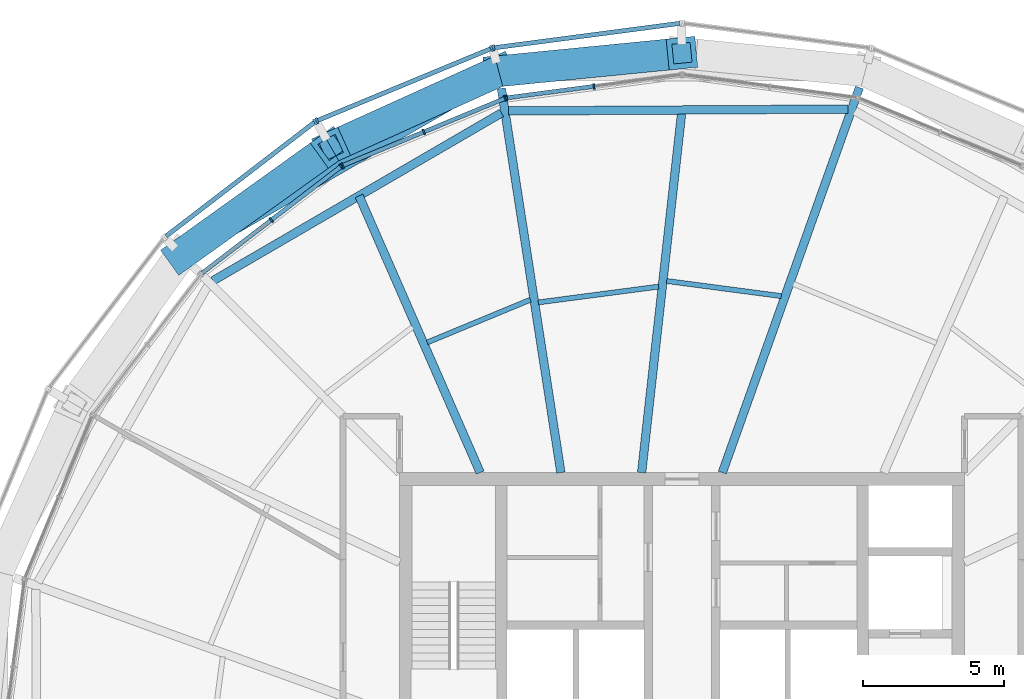
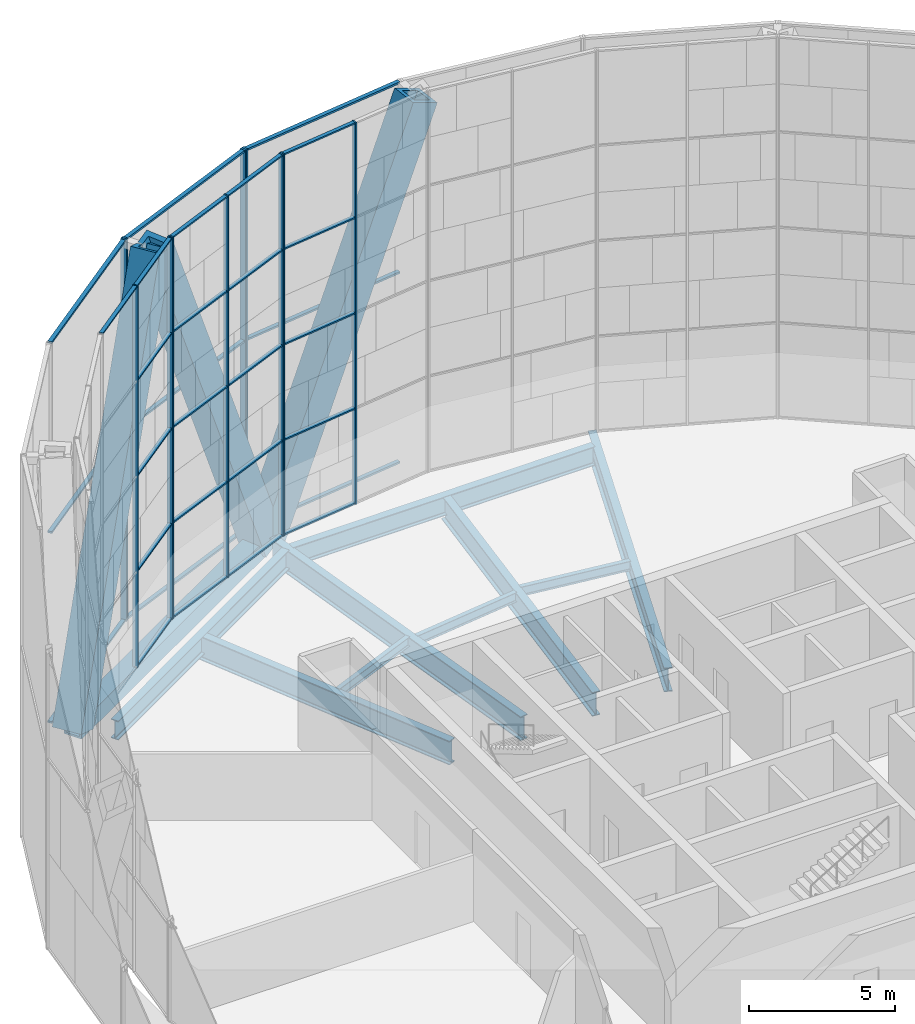
# One storey, part 9 of 30: 44 members, 10 beams, 6 elements without a shape of their own.
"""IFC4 building model written with IfcOpenShell, lengths in metres."""

import ifcopenshell
import ifcopenshell.guid

model = None  # the IFC model being written
_history = None  # IfcOwnerHistory: only IFC2X3 demands one
_inside = {}  # id of a spatial element -> (the spatial element, [elements in it])
_under = {}  # id of a project, library or spatial element -> (it, [spatial elements below it])
_declared = {}  # id of a project -> (the project, [libraries it declares])
_typed = {}  # id of a type object -> (the type object, [elements of that type])
_made_of = {}  # id of a material, layer set ... -> (it, [elements and type objects made of it])


def new_model(schema):
    """Start an empty IFC model of exactly this schema.

    Asked for "IFC4X3", IfcOpenShell would pick the latest addendum, in which some entities
    have other attributes; the version numbers below select the first issue.
    IFC2X3 requires an IfcOwnerHistory on every rooted entity: one is made here for all.
    """
    global model, _history
    if schema == "IFC4X3":
        model = ifcopenshell.file(schema_version=(4, 3, 0, 0))
    else:
        model = ifcopenshell.file(schema=schema)
    _inside.clear()
    _under.clear()
    _declared.clear()
    _typed.clear()
    _made_of.clear()
    _history = None
    if model.schema == "IFC2X3":
        org = make("IfcOrganization", Name="unknown")
        user = make(
            "IfcPersonAndOrganization",
            ThePerson=make("IfcPerson", FamilyName="unknown"),
            TheOrganization=org,
        )
        app = make(
            "IfcApplication",
            ApplicationDeveloper=org,
            Version="unknown",
            ApplicationFullName="unknown",
            ApplicationIdentifier="unknown",
        )
        _history = make(
            "IfcOwnerHistory",
            OwningUser=user,
            OwningApplication=app,
            ChangeAction="ADDED",
            CreationDate=0,
        )
    return model


def make(cls, **values):
    """One entity of the class cls with the attributes given. An attribute that is None is left unset."""
    return model.create_entity(
        cls, **{name: value for name, value in values.items() if value is not None}
    )


def rooted(cls, **values):
    """An entity with a GlobalId (a new one), such as an element, a storey or a relation."""
    return make(cls, GlobalId=ifcopenshell.guid.new(), OwnerHistory=_history, **values)


def si_unit(unit_type, name, prefix=None):
    """IfcSIUnit, for example si_unit("LENGTHUNIT", "METRE", prefix="MILLI")."""
    return make("IfcSIUnit", UnitType=unit_type, Prefix=prefix, Name=name)


def assignment(units):
    """IfcUnitAssignment: the units of a project."""
    return None if units is None else make("IfcUnitAssignment", Units=units)


def point(xyz):
    """IfcCartesianPoint."""
    return None if xyz is None else make("IfcCartesianPoint", Coordinates=xyz)


def direction(xyz):
    """IfcDirection."""
    return None if xyz is None else make("IfcDirection", DirectionRatios=xyz)


def frame(location, z_axis=None, x_axis=None):
    """IfcAxis2Placement3D, a coordinate frame: its origin and axes. An axis left out is left unset."""
    return make(
        "IfcAxis2Placement3D",
        Location=point(location),
        Axis=direction(z_axis),
        RefDirection=direction(x_axis),
    )


def frame_2d(location, x_axis=None):
    """IfcAxis2Placement2D, a coordinate frame in the plane: its origin and x axis."""
    return make(
        "IfcAxis2Placement2D", Location=point(location), RefDirection=direction(x_axis)
    )


def origin():
    """The frame at (0, 0, 0) with its axes left unset."""
    return frame((0.0, 0.0, 0.0))


def origin_2d():
    """The frame at (0, 0) in the plane with its x axis left unset."""
    return frame_2d((0.0, 0.0))


def place(relative_to, where):
    """IfcLocalPlacement: puts the frame where relative to a parent placement (None: the world)."""
    return make(
        "IfcLocalPlacement", PlacementRelTo=relative_to, RelativePlacement=where
    )


def context(
    kind, dimensions, precision=None, world=None, true_north=None, identifier=None
):
    """IfcGeometricRepresentationContext, for example the 3D "Model" context."""
    return make(
        "IfcGeometricRepresentationContext",
        ContextIdentifier=identifier,
        ContextType=kind,
        CoordinateSpaceDimension=dimensions,
        Precision=precision,
        WorldCoordinateSystem=world,
        TrueNorth=true_north,
    )


def subcontext(parent, identifier, kind, view, scale=None):
    """IfcGeometricRepresentationSubContext, for example "Body" below "Model"."""
    return make(
        "IfcGeometricRepresentationSubContext",
        ContextIdentifier=identifier,
        ContextType=kind,
        ParentContext=parent,
        TargetScale=scale,
        TargetView=view,
    )


def project(units=None, contexts=None):
    """IfcProject with its units and contexts."""
    return rooted(
        "IfcProject",
        Name="project",
        RepresentationContexts=contexts,
        UnitsInContext=assignment(units),
    )


def spatial(cls, under=None, at=None, **own):
    """A site, building, storey or space (cls), placed at a placement, below another one or the project."""
    s = rooted(cls, ObjectPlacement=at, **own)
    if under is not None:
        _under.setdefault(under.id(), (under, []))[1].append(s)
    return s


def profile(cls, at=None, kind="AREA", **sizes):
    """A parametric profile (cls). Its sizes go by their IFC names, for example OverallWidth=200.0."""
    return make(cls, ProfileType=kind, Position=at, **sizes)


def rectangle(**sizes):
    """IfcRectangleProfileDef."""
    return profile("IfcRectangleProfileDef", **sizes)


def hollow_rectangle(**sizes):
    """IfcRectangleHollowProfileDef."""
    return profile("IfcRectangleHollowProfileDef", **sizes)


def i_section(**sizes):
    """IfcIShapeProfileDef."""
    return profile("IfcIShapeProfileDef", **sizes)


def extrude(swept, where, along, depth):
    """IfcExtrudedAreaSolid: the profile swept, set in the frame where, extruded along a direction by depth."""
    return make(
        "IfcExtrudedAreaSolid",
        SweptArea=swept,
        Position=where,
        ExtrudedDirection=direction(along),
        Depth=depth,
    )


def shape(context_of_items, identifier, shape_type, items):
    """IfcShapeRepresentation: the items that make up one representation, for example the "Body"."""
    return make(
        "IfcShapeRepresentation",
        ContextOfItems=context_of_items,
        RepresentationIdentifier=identifier,
        RepresentationType=shape_type,
        Items=items,
    )


def material(Name=None, Category=None):
    """IfcMaterial."""
    return make("IfcMaterial", Name=Name, Category=Category)


def material_profile(
    of_material, cross_section, Name=None, Category=None, Priority=None
):
    """IfcMaterialProfile: a cross section and its material."""
    return make(
        "IfcMaterialProfile",
        Name=Name,
        Material=of_material,
        Profile=cross_section,
        Priority=Priority,
        Category=Category,
    )


def profile_set(profiles, Name=None, composite=None):
    """IfcMaterialProfileSet."""
    return make(
        "IfcMaterialProfileSet",
        Name=Name,
        MaterialProfiles=profiles,
        CompositeProfile=composite,
    )


def made_of(thing, what):
    """Note that an element or type object is made of a material, layer set ...; save() writes the relation."""
    if what is not None:
        _made_of.setdefault(what.id(), (what, []))[1].append(thing)
    return thing


def type_object(cls, material=None, **own):
    """A type object (cls), such as IfcWallType, which elements share."""
    return made_of(rooted(cls, **own), material)


def element(
    cls,
    number,
    at=None,
    inside=None,
    cuts=None,
    type_object=None,
    material=None,
    context=None,
    identifier="Body",
    shape_type=None,
    held_by="IfcProductDefinitionShape",
    body=None,
    shapes=None,
    **own,
):
    """One element of the class cls, such as IfcWall. Its Tag is "e" and its number.

    at: its placement. inside: the storey or other place that contains it. cuts: it is an
    opening in that element (IfcRelVoidsElement). A single representation is given by context,
    identifier, shape_type and body (its items); several are given by shapes. held_by: the class
    of the entity that holds the representations. save() writes the other relations.
    """
    e = rooted(cls, Tag="e%d" % number, ObjectPlacement=at, **own)
    if body is not None:
        shapes = [shape(context, identifier, shape_type, body)]
    if shapes is not None:
        e.Representation = make(held_by, Representations=shapes)
    if inside is not None:
        _inside.setdefault(inside.id(), (inside, []))[1].append(e)
    if cuts is not None:
        rooted(
            "IfcRelVoidsElement", RelatingBuildingElement=cuts, RelatedOpeningElement=e
        )
    if type_object is not None:
        _typed.setdefault(type_object.id(), (type_object, []))[1].append(e)
    return made_of(e, material)


def aggregate(whole, parts):
    """IfcRelAggregates: a whole, such as a stair, and the parts it consists of."""
    return rooted("IfcRelAggregates", RelatingObject=whole, RelatedObjects=parts)


def save(model, path):
    """Write the relations noted so far, then the file.

    IfcRelAggregates (storeys below a building ...), IfcRelContainedInSpatialStructure (elements
    in a storey), IfcRelDefinesByType, IfcRelAssociatesMaterial and IfcRelDeclares: one each for
    every whole, place, type object, material and project.
    """
    for whole, parts in _under.values():
        aggregate(whole, parts)
    for where, things in _inside.values():
        rooted(
            "IfcRelContainedInSpatialStructure",
            RelatedElements=things,
            RelatingStructure=where,
        )
    for kind, things in _typed.values():
        rooted("IfcRelDefinesByType", RelatedObjects=things, RelatingType=kind)
    for what, things in _made_of.values():
        rooted("IfcRelAssociatesMaterial", RelatedObjects=things, RelatingMaterial=what)
    for by, libraries in _declared.values():
        rooted("IfcRelDeclares", RelatingContext=by, RelatedDefinitions=libraries)
    model.write(path)


model = new_model("IFC4")

# Units and contexts
model_context = context("Model", 3, precision=1e-05, world=origin(), true_north=direction((0.0, 1.0)))
body_context = subcontext(model_context, "Body", "Model", "MODEL_VIEW")
ifc_project = project(units=[si_unit("LENGTHUNIT", "METRE"), si_unit("AREAUNIT", "SQUARE_METRE"), si_unit("VOLUMEUNIT", "CUBIC_METRE"), si_unit("PLANEANGLEUNIT", "RADIAN"), si_unit("MASSUNIT", "GRAM", prefix="KILO")], contexts=[model_context])

# Site, building, storey
site_placement = place(None, origin())
site = spatial("IfcSite", under=ifc_project, at=site_placement, CompositionType="ELEMENT")
building_placement = place(site_placement, origin())
building = spatial("IfcBuilding", under=site, at=building_placement, Name="Golbaran Civic Tower", CompositionType="ELEMENT")
storey_placement = place(building_placement, frame((0.0, 0.0, 167.0)))
storey = spatial("IfcBuildingStorey", under=building, at=storey_placement, Name="L40", CompositionType="ELEMENT", Elevation=167.0)

# Members
ifc_material_1 = material(Name="Steel S355", Category="steel")
ifc_material_profile_1 = material_profile(ifc_material_1, hollow_rectangle(XDim=1.10009765625, YDim=1.10009765625, WallThickness=0.199951171875, at=origin_2d()), Name="BOX 1100x1100x200")
ifc_profile_set_1 = profile_set([ifc_material_profile_1], Name="Steel S355")
member_type_1 = type_object("IfcMemberType", Name="DIAGRID DIAGONAL BOX 1100x1100x200", PredefinedType="BRACE", material=ifc_profile_set_1)
for number, where, z_axis, x_axis, name in (
    (1, (-6.48681640625, 24.208984375, -0.7099609375), (-0.343627476497, -0.155753672162, 0.926099860169), (0.412834767347, -0.910805936997, 0.0), "Diagonal D09-03R L40-L44"),
    (2, (-6.48681640625, 24.208984375, -0.7099609375), (0.375465296726, 0.036924758011, 0.92610062801), (-0.097871849998, 0.995199025812, 0.0), "Diagonal D09-03L L40-L44"),
):
    element("IfcMember", number, at=place(storey_placement, frame(where, z_axis=z_axis, x_axis=x_axis)), inside=storey, type_object=member_type_1, Name=name, PredefinedType="BRACE", context=body_context, shape_type="SweptSolid", body=[
        extrude(hollow_rectangle(XDim=1.10009765625, YDim=1.10009765625, WallThickness=0.199951171875, at=origin_2d()), origin(), (0.0, 0.0, 1.0), 17.27685546875),
    ])
member_1_placement = place(storey_placement, frame((-17.72216796875, 17.72216796875, -0.7099609375), z_axis=(0.306689856884, 0.21971220084, 0.926103601379), x_axis=(-0.582374990121, 0.812920273386, 0.0)))
element("IfcMember", 3, at=member_1_placement, inside=storey, type_object=member_type_1, Name="Diagonal D09-04L L40-L44", PredefinedType="BRACE", context=body_context, shape_type="SweptSolid", body=[
    extrude(hollow_rectangle(XDim=1.10009765625, YDim=1.10009765625, WallThickness=0.199951171875, at=origin_2d()), origin(), (0.0, 0.0, 1.0), 17.276611328125),
])

# Beams
ifc_material_profile_2 = material_profile(ifc_material_1, hollow_rectangle(XDim=0.699951171875, YDim=0.699951171875, WallThickness=0.080078125, at=origin_2d()), Name="BOX 700x700x80")
ifc_profile_set_2 = profile_set([ifc_material_profile_2], Name="Steel S355")
beam_type_1 = type_object("IfcBeamType", Name="DIAGRID RING TIE BOX 700x700x80", PredefinedType="BEAM", material=ifc_profile_set_2)
beam_1_placement = place(storey_placement, frame((-6.48681640625, 24.208984375, -0.7099609375), z_axis=(-0.866022628259, -0.50000480732, 0.0), x_axis=(0.50000480732, -0.866022628259, 0.0)))
element("IfcBeam", 4, at=beam_1_placement, inside=storey, type_object=beam_type_1, Name="Ring tie 105.00 L40", PredefinedType="BEAM", context=body_context, shape_type="SweptSolid", body=[
    extrude(hollow_rectangle(XDim=0.699951171875, YDim=0.699951171875, WallThickness=0.080078125, at=origin_2d()), origin(), (0.0, 0.0, 1.0), 12.973388671875),
])
ifc_material_profile_3 = material_profile(ifc_material_1, i_section(OverallWidth=0.300048828125, OverallDepth=0.800048828125, WebThickness=0.017578125, FlangeThickness=0.032958984375, FilletRadius=0.030029296875, at=origin_2d()), Name="HEB 800")
ifc_profile_set_3 = profile_set([ifc_material_profile_3], Name="Steel S355")
beam_type_2 = type_object("IfcBeamType", Name="EDGE BEAM HEB 800", PredefinedType="BEAM", material=ifc_profile_set_3)
beam_2_placement = place(storey_placement, frame((5.8720703125, 22.86962890625, -0.60009765625), z_axis=(-0.999984030344, -0.005651464941, 0.0), x_axis=(0.005651464941, -0.999984030344, 0.0)))
element("IfcBeam", 5, at=beam_2_placement, inside=storey, type_object=beam_type_2, Name="Edge beam 75.00 L40", PredefinedType="BEAM", context=body_context, shape_type="SweptSolid", body=[
    extrude(i_section(OverallWidth=0.300048828125, OverallDepth=0.800048828125, WebThickness=0.017578125, FlangeThickness=0.032958984375, FilletRadius=0.030029296875, at=origin_2d()), origin(), (0.0, 0.0, 1.0), 12.009521484375),
])
beam_3_placement = place(storey_placement, frame((-6.389404296875, 22.730712890625, -0.60009765625), z_axis=(-0.864397150996, -0.502809671098, 0.0), x_axis=(0.502809671098, -0.864397150996, 0.0)))
element("IfcBeam", 6, at=beam_3_placement, inside=storey, type_object=beam_type_2, Name="Edge beam 105.00 L40", PredefinedType="BEAM", context=body_context, shape_type="SweptSolid", body=[
    extrude(i_section(OverallWidth=0.300048828125, OverallDepth=0.800048828125, WebThickness=0.017578125, FlangeThickness=0.032958984375, FilletRadius=0.030029296875, at=origin_2d()), origin(), (0.0, 0.0, 1.0), 11.81787109375),
])
ifc_material_profile_4 = material_profile(ifc_material_1, i_section(OverallWidth=0.179931640625, OverallDepth=0.39990234375, WebThickness=0.008544921875, FlangeThickness=0.013427734375, FilletRadius=0.02099609375, at=origin_2d()), Name="IPE 400")
ifc_profile_set_4 = profile_set([ifc_material_profile_4], Name="Steel S355")
beam_type_3 = type_object("IfcBeamType", Name="FLOOR INFILL BEAM IPE 400", PredefinedType="BEAM", material=ifc_profile_set_4)
beam_4_placement = place(storey_placement, frame((3.51513671875, 16.248779296875, -0.39990234375), z_axis=(-0.991447391542, 0.130506972247, 0.0), x_axis=(-0.130506972247, -0.991447391542, 0.0)))
element("IfcBeam", 7, at=beam_4_placement, inside=storey, type_object=beam_type_3, Name="Infill beam 82.50 L40", PredefinedType="BEAM", context=body_context, shape_type="SweptSolid", body=[
    extrude(i_section(OverallWidth=0.179931640625, OverallDepth=0.39990234375, WebThickness=0.008544921875, FlangeThickness=0.013427734375, FilletRadius=0.02099609375, at=origin_2d()), origin(), (0.0, 0.0, 1.0), 4.093017578125),
])
beam_5_placement = place(storey_placement, frame((-0.826416015625, 16.585205078125, -0.39990234375), z_axis=(-0.991450234667, -0.130485371514, 0.0), x_axis=(0.130485371514, -0.991450234667, 0.0)))
element("IfcBeam", 8, at=beam_5_placement, inside=storey, type_object=beam_type_3, Name="Infill beam 97.50 L40", PredefinedType="BEAM", context=body_context, shape_type="SweptSolid", body=[
    extrude(i_section(OverallWidth=0.179931640625, OverallDepth=0.39990234375, WebThickness=0.008544921875, FlangeThickness=0.013427734375, FilletRadius=0.02099609375, at=origin_2d()), origin(), (0.0, 0.0, 1.0), 4.2978515625),
])
beam_6_placement = place(storey_placement, frame((-5.365234375, 16.119873046875, -0.39990234375), z_axis=(-0.923897142822, -0.382640914546, 0.0), x_axis=(0.382640914546, -0.923897142822, 0.0)))
element("IfcBeam", 9, at=beam_6_placement, inside=storey, type_object=beam_type_3, Name="Infill beam 112.50 L40", PredefinedType="BEAM", context=body_context, shape_type="SweptSolid", body=[
    extrude(i_section(OverallWidth=0.179931640625, OverallDepth=0.39990234375, WebThickness=0.008544921875, FlangeThickness=0.013427734375, FilletRadius=0.02099609375, at=origin_2d()), origin(), (0.0, 0.0, 1.0), 3.95263671875),
])

# Curtain wall, members
ifc_material_2 = material(Name="Aluminium and glass", Category="aluminium")
curtain_wall_type_1 = type_object("IfcCurtainWallType", Name="INNER SKIN CURTAIN WALL EXECUTIVE", PredefinedType="NOTDEFINED", material=ifc_material_2)
curtain_wall_1_placement = place(storey_placement, origin())
curtain_wall_1 = element("IfcCurtainWall", 10, at=curtain_wall_1_placement, inside=storey, type_object=curtain_wall_type_1, Name="Inner skin L40 facet 7 CW2", ObjectType="INNER SKIN", PredefinedType="USERDEFINED")
ifc_material_3 = material(Name="Aluminium", Category="aluminium")
ifc_material_profile_5 = material_profile(ifc_material_3, rectangle(XDim=0.199951171875, YDim=0.06005859375, at=origin_2d()), Name="INNER SKIN CURTAIN WALL EXECUTIVE MULLION")
ifc_profile_set_5 = profile_set([ifc_material_profile_5], Name="Aluminium")
member_type_2 = type_object("IfcMemberType", Name="INNER SKIN CURTAIN WALL EXECUTIVE MULLION", PredefinedType="MULLION", material=ifc_profile_set_5)
member_2_placement = place(storey_placement, frame((-3.116455078125, 23.672607421875, 0.0), z_axis=(0.0, 0.0, 1.0), x_axis=(0.130526192151, -0.991444861383, 0.0)))
member_2 = element("IfcMember", 11, at=member_2_placement, type_object=member_type_2, Name="CW2 mullion 2", PredefinedType="MULLION", context=body_context, shape_type="SweptSolid", body=[
    extrude(rectangle(XDim=0.199951171875, YDim=0.06005859375, at=origin_2d()), origin(), (0.0, 0.0, 1.0), 16.0),
])
member_3_placement = place(storey_placement, frame((-6.203369140625, 23.266357421875, 0.0), z_axis=(0.0, 0.0, 1.0), x_axis=(0.130526192151, -0.991444861383, 0.0)))
member_3 = element("IfcMember", 12, at=member_3_placement, type_object=member_type_2, Name="CW2 mullion 3", PredefinedType="MULLION", context=body_context, shape_type="SweptSolid", body=[
    extrude(rectangle(XDim=0.199951171875, YDim=0.06005859375, at=origin_2d()), origin(), (0.0, 0.0, 1.0), 16.0),
])

curtain_wall_2_placement = place(storey_placement, origin())
curtain_wall_2 = element("IfcCurtainWall", 13, at=curtain_wall_2_placement, inside=storey, type_object=curtain_wall_type_1, Name="Inner skin L40 facet 8 CW2", ObjectType="INNER SKIN", PredefinedType="USERDEFINED")
member_4_placement = place(storey_placement, frame((-6.2607421875, 23.2509765625, 0.0), z_axis=(0.0, 0.0, 1.0), x_axis=(0.382683432462, -0.923879532471, 0.0)))
member_4 = element("IfcMember", 14, at=member_4_placement, type_object=member_type_2, Name="CW2 mullion 1", PredefinedType="MULLION", context=body_context, shape_type="SweptSolid", body=[
    extrude(rectangle(XDim=0.199951171875, YDim=0.06005859375, at=origin_2d()), origin(), (0.0, 0.0, 1.0), 16.0),
])
member_5_placement = place(storey_placement, frame((-9.13720703125, 22.059326171875, 0.0), z_axis=(0.0, 0.0, 1.0), x_axis=(0.382683432462, -0.923879532471, 0.0)))
member_5 = element("IfcMember", 15, at=member_5_placement, type_object=member_type_2, Name="CW2 mullion 2", PredefinedType="MULLION", context=body_context, shape_type="SweptSolid", body=[
    extrude(rectangle(XDim=0.199951171875, YDim=0.06005859375, at=origin_2d()), origin(), (0.0, 0.0, 1.0), 16.0),
])
member_6_placement = place(storey_placement, frame((-12.013671875, 20.867919921875, 0.0), z_axis=(0.0, 0.0, 1.0), x_axis=(0.382683432462, -0.923879532471, 0.0)))
member_6 = element("IfcMember", 16, at=member_6_placement, type_object=member_type_2, Name="CW2 mullion 3", PredefinedType="MULLION", context=body_context, shape_type="SweptSolid", body=[
    extrude(rectangle(XDim=0.199951171875, YDim=0.06005859375, at=origin_2d()), origin(), (0.0, 0.0, 1.0), 16.0),
])

curtain_wall_3_placement = place(storey_placement, origin())
curtain_wall_3 = element("IfcCurtainWall", 17, at=curtain_wall_3_placement, inside=storey, type_object=curtain_wall_type_1, Name="Inner skin L40 facet 9 CW2", ObjectType="INNER SKIN", PredefinedType="USERDEFINED")
member_7_placement = place(storey_placement, frame((-12.065185546875, 20.838134765625, 0.0), z_axis=(0.0, 0.0, 1.0), x_axis=(0.608761429036, -0.79335334027, 0.0)))
member_7 = element("IfcMember", 18, at=member_7_placement, type_object=member_type_2, Name="CW2 mullion 1", PredefinedType="MULLION", context=body_context, shape_type="SweptSolid", body=[
    extrude(rectangle(XDim=0.199951171875, YDim=0.06005859375, at=origin_2d()), origin(), (0.0, 0.0, 1.0), 16.0),
])
member_8_placement = place(storey_placement, frame((-14.535400390625, 18.94287109375, 0.0), z_axis=(0.0, 0.0, 1.0), x_axis=(0.608761429036, -0.79335334027, 0.0)))
member_8 = element("IfcMember", 19, at=member_8_placement, type_object=member_type_2, Name="CW2 mullion 2", PredefinedType="MULLION", context=body_context, shape_type="SweptSolid", body=[
    extrude(rectangle(XDim=0.199951171875, YDim=0.06005859375, at=origin_2d()), origin(), (0.0, 0.0, 1.0), 16.0),
])

# Member
ifc_material_profile_6 = material_profile(ifc_material_3, rectangle(XDim=0.14990234375, YDim=0.06005859375, at=origin_2d()), Name="INNER SKIN CURTAIN WALL EXECUTIVE TRANSOM")
ifc_profile_set_6 = profile_set([ifc_material_profile_6], Name="Aluminium")
member_type_3 = type_object("IfcMemberType", Name="INNER SKIN CURTAIN WALL EXECUTIVE TRANSOM", PredefinedType="USERDEFINED", material=ifc_profile_set_6)
member_9_placement = place(storey_placement, frame((-3.146240234375, 23.668701171875, 0.030029296875), z_axis=(-0.991449940701, -0.130487605099, 0.0), x_axis=(0.130487605099, -0.991449940701, 0.0)))
member_9 = element("IfcMember", 20, at=member_9_placement, type_object=member_type_3, Name="CW2 transom 2.1", ObjectType="TRANSOM", PredefinedType="USERDEFINED", context=body_context, shape_type="SweptSolid", body=[
    extrude(rectangle(XDim=0.14990234375, YDim=0.06005859375, at=origin_2d()), origin(), (0.0, 0.0, 1.0), 3.053466796875),
])

member_10_placement = place(storey_placement, frame((-3.146240234375, 23.668701171875, 4.0), z_axis=(-0.991449940701, -0.130487605099, 0.0), x_axis=(0.130487605099, -0.991449940701, 0.0)))
member_10 = element("IfcMember", 21, at=member_10_placement, type_object=member_type_3, Name="CW2 transom 2.2", ObjectType="TRANSOM", PredefinedType="USERDEFINED", context=body_context, shape_type="SweptSolid", body=[
    extrude(rectangle(XDim=0.14990234375, YDim=0.06005859375, at=origin_2d()), origin(), (0.0, 0.0, 1.0), 3.053466796875),
])

member_11_placement = place(storey_placement, frame((-3.146240234375, 23.668701171875, 8.0), z_axis=(-0.991449940701, -0.130487605099, 0.0), x_axis=(0.130487605099, -0.991449940701, 0.0)))
member_11 = element("IfcMember", 22, at=member_11_placement, type_object=member_type_3, Name="CW2 transom 2.3", ObjectType="TRANSOM", PredefinedType="USERDEFINED", context=body_context, shape_type="SweptSolid", body=[
    extrude(rectangle(XDim=0.14990234375, YDim=0.06005859375, at=origin_2d()), origin(), (0.0, 0.0, 1.0), 3.053466796875),
])

member_12_placement = place(storey_placement, frame((-3.146240234375, 23.668701171875, 12.0), z_axis=(-0.991449940701, -0.130487605099, 0.0), x_axis=(0.130487605099, -0.991449940701, 0.0)))
member_12 = element("IfcMember", 23, at=member_12_placement, type_object=member_type_3, Name="CW2 transom 2.4", ObjectType="TRANSOM", PredefinedType="USERDEFINED", context=body_context, shape_type="SweptSolid", body=[
    extrude(rectangle(XDim=0.14990234375, YDim=0.06005859375, at=origin_2d()), origin(), (0.0, 0.0, 1.0), 3.053466796875),
])

member_13_placement = place(storey_placement, frame((-3.146240234375, 23.668701171875, 15.969970703125), z_axis=(-0.991449940701, -0.130487605099, 0.0), x_axis=(0.130487605099, -0.991449940701, 0.0)))
member_13 = element("IfcMember", 24, at=member_13_placement, type_object=member_type_3, Name="CW2 transom 2.5", ObjectType="TRANSOM", PredefinedType="USERDEFINED", context=body_context, shape_type="SweptSolid", body=[
    extrude(rectangle(XDim=0.14990234375, YDim=0.06005859375, at=origin_2d()), origin(), (0.0, 0.0, 1.0), 3.053466796875),
])

aggregate(curtain_wall_1, [member_2, member_3, member_9, member_10, member_11, member_12, member_13])

member_14_placement = place(storey_placement, frame((-6.28857421875, 23.239501953125, 0.030029296875), z_axis=(-0.923857982963, -0.382735453435, 0.0), x_axis=(0.382735453435, -0.923857982963, 0.0)))
member_14 = element("IfcMember", 25, at=member_14_placement, type_object=member_type_3, Name="CW2 transom 1.1", ObjectType="TRANSOM", PredefinedType="USERDEFINED", context=body_context, shape_type="SweptSolid", body=[
    extrude(rectangle(XDim=0.14990234375, YDim=0.06005859375, at=origin_2d()), origin(), (0.0, 0.0, 1.0), 3.053466796875),
])

member_15_placement = place(storey_placement, frame((-6.28857421875, 23.239501953125, 4.0), z_axis=(-0.923857982963, -0.382735453435, 0.0), x_axis=(0.382735453435, -0.923857982963, 0.0)))
member_15 = element("IfcMember", 26, at=member_15_placement, type_object=member_type_3, Name="CW2 transom 1.2", ObjectType="TRANSOM", PredefinedType="USERDEFINED", context=body_context, shape_type="SweptSolid", body=[
    extrude(rectangle(XDim=0.14990234375, YDim=0.06005859375, at=origin_2d()), origin(), (0.0, 0.0, 1.0), 3.053466796875),
])

member_16_placement = place(storey_placement, frame((-6.28857421875, 23.239501953125, 8.0), z_axis=(-0.923857982963, -0.382735453435, 0.0), x_axis=(0.382735453435, -0.923857982963, 0.0)))
member_16 = element("IfcMember", 27, at=member_16_placement, type_object=member_type_3, Name="CW2 transom 1.3", ObjectType="TRANSOM", PredefinedType="USERDEFINED", context=body_context, shape_type="SweptSolid", body=[
    extrude(rectangle(XDim=0.14990234375, YDim=0.06005859375, at=origin_2d()), origin(), (0.0, 0.0, 1.0), 3.053466796875),
])

member_17_placement = place(storey_placement, frame((-6.28857421875, 23.239501953125, 12.0), z_axis=(-0.923857982963, -0.382735453435, 0.0), x_axis=(0.382735453435, -0.923857982963, 0.0)))
member_17 = element("IfcMember", 28, at=member_17_placement, type_object=member_type_3, Name="CW2 transom 1.4", ObjectType="TRANSOM", PredefinedType="USERDEFINED", context=body_context, shape_type="SweptSolid", body=[
    extrude(rectangle(XDim=0.14990234375, YDim=0.06005859375, at=origin_2d()), origin(), (0.0, 0.0, 1.0), 3.053466796875),
])

member_18_placement = place(storey_placement, frame((-6.28857421875, 23.239501953125, 15.969970703125), z_axis=(-0.923857982963, -0.382735453435, 0.0), x_axis=(0.382735453435, -0.923857982963, 0.0)))
member_18 = element("IfcMember", 29, at=member_18_placement, type_object=member_type_3, Name="CW2 transom 1.5", ObjectType="TRANSOM", PredefinedType="USERDEFINED", context=body_context, shape_type="SweptSolid", body=[
    extrude(rectangle(XDim=0.14990234375, YDim=0.06005859375, at=origin_2d()), origin(), (0.0, 0.0, 1.0), 3.053466796875),
])

member_19_placement = place(storey_placement, frame((-9.1650390625, 22.0478515625, 0.030029296875), z_axis=(-0.923886252177, -0.382667209253, 0.0), x_axis=(0.382667209253, -0.923886252177, 0.0)))
member_19 = element("IfcMember", 30, at=member_19_placement, type_object=member_type_3, Name="CW2 transom 2.1", ObjectType="TRANSOM", PredefinedType="USERDEFINED", context=body_context, shape_type="SweptSolid", body=[
    extrude(rectangle(XDim=0.14990234375, YDim=0.06005859375, at=origin_2d()), origin(), (0.0, 0.0, 1.0), 3.053466796875),
])

member_20_placement = place(storey_placement, frame((-9.1650390625, 22.0478515625, 4.0), z_axis=(-0.923886252177, -0.382667209253, 0.0), x_axis=(0.382667209253, -0.923886252177, 0.0)))
member_20 = element("IfcMember", 31, at=member_20_placement, type_object=member_type_3, Name="CW2 transom 2.2", ObjectType="TRANSOM", PredefinedType="USERDEFINED", context=body_context, shape_type="SweptSolid", body=[
    extrude(rectangle(XDim=0.14990234375, YDim=0.06005859375, at=origin_2d()), origin(), (0.0, 0.0, 1.0), 3.053466796875),
])

member_21_placement = place(storey_placement, frame((-9.1650390625, 22.0478515625, 8.0), z_axis=(-0.923886252177, -0.382667209253, 0.0), x_axis=(0.382667209253, -0.923886252177, 0.0)))
member_21 = element("IfcMember", 32, at=member_21_placement, type_object=member_type_3, Name="CW2 transom 2.3", ObjectType="TRANSOM", PredefinedType="USERDEFINED", context=body_context, shape_type="SweptSolid", body=[
    extrude(rectangle(XDim=0.14990234375, YDim=0.06005859375, at=origin_2d()), origin(), (0.0, 0.0, 1.0), 3.053466796875),
])

member_22_placement = place(storey_placement, frame((-9.1650390625, 22.0478515625, 12.0), z_axis=(-0.923886252177, -0.382667209253, 0.0), x_axis=(0.382667209253, -0.923886252177, 0.0)))
member_22 = element("IfcMember", 33, at=member_22_placement, type_object=member_type_3, Name="CW2 transom 2.4", ObjectType="TRANSOM", PredefinedType="USERDEFINED", context=body_context, shape_type="SweptSolid", body=[
    extrude(rectangle(XDim=0.14990234375, YDim=0.06005859375, at=origin_2d()), origin(), (0.0, 0.0, 1.0), 3.053466796875),
])

member_23_placement = place(storey_placement, frame((-9.1650390625, 22.0478515625, 15.969970703125), z_axis=(-0.923886252177, -0.382667209253, 0.0), x_axis=(0.382667209253, -0.923886252177, 0.0)))
member_23 = element("IfcMember", 34, at=member_23_placement, type_object=member_type_3, Name="CW2 transom 2.5", ObjectType="TRANSOM", PredefinedType="USERDEFINED", context=body_context, shape_type="SweptSolid", body=[
    extrude(rectangle(XDim=0.14990234375, YDim=0.06005859375, at=origin_2d()), origin(), (0.0, 0.0, 1.0), 3.053466796875),
])

aggregate(curtain_wall_2, [member_4, member_5, member_6, member_14, member_15, member_16, member_17, member_18, member_19, member_20, member_21, member_22, member_23])

member_24_placement = place(storey_placement, frame((-12.089111328125, 20.820068359375, 0.030029296875), z_axis=(-0.793330879625, -0.6087906992, 0.0), x_axis=(0.6087906992, -0.793330879625, 0.0)))
member_24 = element("IfcMember", 35, at=member_24_placement, type_object=member_type_3, Name="CW2 transom 1.1", ObjectType="TRANSOM", PredefinedType="USERDEFINED", context=body_context, shape_type="SweptSolid", body=[
    extrude(rectangle(XDim=0.14990234375, YDim=0.06005859375, at=origin_2d()), origin(), (0.0, 0.0, 1.0), 3.053466796875),
])

member_25_placement = place(storey_placement, frame((-12.089111328125, 20.820068359375, 4.0), z_axis=(-0.793330879625, -0.6087906992, 0.0), x_axis=(0.6087906992, -0.793330879625, 0.0)))
member_25 = element("IfcMember", 36, at=member_25_placement, type_object=member_type_3, Name="CW2 transom 1.2", ObjectType="TRANSOM", PredefinedType="USERDEFINED", context=body_context, shape_type="SweptSolid", body=[
    extrude(rectangle(XDim=0.14990234375, YDim=0.06005859375, at=origin_2d()), origin(), (0.0, 0.0, 1.0), 3.053466796875),
])

member_26_placement = place(storey_placement, frame((-12.089111328125, 20.820068359375, 8.0), z_axis=(-0.793330879625, -0.6087906992, 0.0), x_axis=(0.6087906992, -0.793330879625, 0.0)))
member_26 = element("IfcMember", 37, at=member_26_placement, type_object=member_type_3, Name="CW2 transom 1.3", ObjectType="TRANSOM", PredefinedType="USERDEFINED", context=body_context, shape_type="SweptSolid", body=[
    extrude(rectangle(XDim=0.14990234375, YDim=0.06005859375, at=origin_2d()), origin(), (0.0, 0.0, 1.0), 3.053466796875),
])

member_27_placement = place(storey_placement, frame((-12.089111328125, 20.820068359375, 12.0), z_axis=(-0.793330879625, -0.6087906992, 0.0), x_axis=(0.6087906992, -0.793330879625, 0.0)))
member_27 = element("IfcMember", 38, at=member_27_placement, type_object=member_type_3, Name="CW2 transom 1.4", ObjectType="TRANSOM", PredefinedType="USERDEFINED", context=body_context, shape_type="SweptSolid", body=[
    extrude(rectangle(XDim=0.14990234375, YDim=0.06005859375, at=origin_2d()), origin(), (0.0, 0.0, 1.0), 3.053466796875),
])

member_28_placement = place(storey_placement, frame((-12.089111328125, 20.820068359375, 15.969970703125), z_axis=(-0.793330879625, -0.6087906992, 0.0), x_axis=(0.6087906992, -0.793330879625, 0.0)))
member_28 = element("IfcMember", 39, at=member_28_placement, type_object=member_type_3, Name="CW2 transom 1.5", ObjectType="TRANSOM", PredefinedType="USERDEFINED", context=body_context, shape_type="SweptSolid", body=[
    extrude(rectangle(XDim=0.14990234375, YDim=0.06005859375, at=origin_2d()), origin(), (0.0, 0.0, 1.0), 3.053466796875),
])

member_29_placement = place(storey_placement, frame((-14.55908203125, 18.924560546875, 15.969970703125), z_axis=(-0.793360510866, -0.60875208402, 0.0), x_axis=(0.60875208402, -0.793360510866, 0.0)))
member_29 = element("IfcMember", 40, at=member_29_placement, type_object=member_type_3, Name="CW2 transom 2.5", ObjectType="TRANSOM", PredefinedType="USERDEFINED", context=body_context, shape_type="SweptSolid", body=[
    extrude(rectangle(XDim=0.14990234375, YDim=0.06005859375, at=origin_2d()), origin(), (0.0, 0.0, 1.0), 3.0537109375),
])

aggregate(curtain_wall_3, [member_7, member_8, member_24, member_25, member_26, member_27, member_28, member_29])

# Curtain wall, member
curtain_wall_type_2 = type_object("IfcCurtainWallType", Name="OUTER SKIN TERRACOTTA SCREEN", PredefinedType="NOTDEFINED", material=ifc_material_2)
curtain_wall_4_placement = place(storey_placement, origin())
curtain_wall_4 = element("IfcCurtainWall", 41, at=curtain_wall_4_placement, inside=storey, type_object=curtain_wall_type_2, Name="Outer skin L40 facet 7 CW3", ObjectType="OUTER SKIN", PredefinedType="USERDEFINED")
ifc_material_profile_7 = material_profile(ifc_material_3, rectangle(XDim=0.219970703125, YDim=0.080078125, at=origin_2d()), Name="OUTER SKIN TERRACOTTA SCREEN MULLION")
ifc_profile_set_7 = profile_set([ifc_material_profile_7], Name="Aluminium")
member_type_4 = type_object("IfcMemberType", Name="OUTER SKIN TERRACOTTA SCREEN MULLION", PredefinedType="MULLION", material=ifc_profile_set_7)
member_30_placement = place(storey_placement, frame((-6.667236328125, 25.03515625, -0.7099609375), z_axis=(0.0, 0.0, 1.0), x_axis=(0.130526192168, -0.991444861381, 0.0)))
member_30 = element("IfcMember", 42, at=member_30_placement, type_object=member_type_4, Name="CW3 mullion 2", PredefinedType="MULLION", context=body_context, shape_type="SweptSolid", body=[
    extrude(rectangle(XDim=0.219970703125, YDim=0.080078125, at=origin_2d()), origin(), (0.0, 0.0, 1.0), 16.0),
])

# Curtain wall, members
curtain_wall_5_placement = place(storey_placement, origin())
curtain_wall_5 = element("IfcCurtainWall", 43, at=curtain_wall_5_placement, inside=storey, type_object=curtain_wall_type_2, Name="Outer skin L40 facet 8 CW3", ObjectType="OUTER SKIN", PredefinedType="USERDEFINED")
member_31_placement = place(storey_placement, frame((-6.74365234375, 25.0146484375, -0.7099609375), z_axis=(0.0, 0.0, 1.0), x_axis=(0.382683432462, -0.923879532471, 0.0)))
member_31 = element("IfcMember", 44, at=member_31_placement, type_object=member_type_4, Name="CW3 mullion 1", PredefinedType="MULLION", context=body_context, shape_type="SweptSolid", body=[
    extrude(rectangle(XDim=0.219970703125, YDim=0.080078125, at=origin_2d()), origin(), (0.0, 0.0, 1.0), 16.0),
])
member_32_placement = place(storey_placement, frame((-12.91943359375, 22.45654296875, -0.7099609375), z_axis=(0.0, 0.0, 1.0), x_axis=(0.382683432462, -0.923879532471, 0.0)))
member_32 = element("IfcMember", 45, at=member_32_placement, type_object=member_type_4, Name="CW3 mullion 2", PredefinedType="MULLION", context=body_context, shape_type="SweptSolid", body=[
    extrude(rectangle(XDim=0.219970703125, YDim=0.080078125, at=origin_2d()), origin(), (0.0, 0.0, 1.0), 16.0),
])

# Curtain wall, member
curtain_wall_6_placement = place(storey_placement, origin())
curtain_wall_6 = element("IfcCurtainWall", 46, at=curtain_wall_6_placement, inside=storey, type_object=curtain_wall_type_2, Name="Outer skin L40 facet 9 CW3", ObjectType="OUTER SKIN", PredefinedType="USERDEFINED")
member_33_placement = place(storey_placement, frame((-12.98828125, 22.4169921875, -0.7099609375), z_axis=(0.0, 0.0, 1.0), x_axis=(0.608761428967, -0.793353340323, 0.0)))
member_33 = element("IfcMember", 47, at=member_33_placement, type_object=member_type_4, Name="CW3 mullion 1", PredefinedType="MULLION", context=body_context, shape_type="SweptSolid", body=[
    extrude(rectangle(XDim=0.219970703125, YDim=0.080078125, at=origin_2d()), origin(), (0.0, 0.0, 1.0), 16.0),
])

# Member
ifc_material_profile_8 = material_profile(ifc_material_3, rectangle(XDim=0.159912109375, YDim=0.080078125, at=origin_2d()), Name="OUTER SKIN TERRACOTTA SCREEN TRANSOM")
ifc_profile_set_8 = profile_set([ifc_material_profile_8], Name="Aluminium")
member_type_5 = type_object("IfcMemberType", Name="OUTER SKIN TERRACOTTA SCREEN TRANSOM", PredefinedType="USERDEFINED", material=ifc_profile_set_8)
member_34_placement = place(storey_placement, frame((-0.079345703125, 25.902587890625, -0.669921875), z_axis=(-0.991445108389, -0.130524315936, 0.0), x_axis=(0.130524315936, -0.991445108389, 0.0)))
member_34 = element("IfcMember", 48, at=member_34_placement, type_object=member_type_5, Name="CW3 transom 1.1", ObjectType="TRANSOM", PredefinedType="USERDEFINED", context=body_context, shape_type="SweptSolid", body=[
    extrude(rectangle(XDim=0.159912109375, YDim=0.080078125, at=origin_2d()), origin(), (0.0, 0.0, 1.0), 6.6044921875),
])

member_35_placement = place(storey_placement, frame((-0.079345703125, 25.902587890625, 7.2900390625), z_axis=(-0.991445108389, -0.130524315936, 0.0), x_axis=(0.130524315936, -0.991445108389, 0.0)))
member_35 = element("IfcMember", 49, at=member_35_placement, type_object=member_type_5, Name="CW3 transom 1.2", ObjectType="TRANSOM", PredefinedType="USERDEFINED", context=body_context, shape_type="SweptSolid", body=[
    extrude(rectangle(XDim=0.159912109375, YDim=0.080078125, at=origin_2d()), origin(), (0.0, 0.0, 1.0), 6.6044921875),
])

member_36_placement = place(storey_placement, frame((-0.079345703125, 25.902587890625, 15.25), z_axis=(-0.991445108389, -0.130524315936, 0.0), x_axis=(0.130524315936, -0.991445108389, 0.0)))
member_36 = element("IfcMember", 50, at=member_36_placement, type_object=member_type_5, Name="CW3 transom 1.3", ObjectType="TRANSOM", PredefinedType="USERDEFINED", context=body_context, shape_type="SweptSolid", body=[
    extrude(rectangle(XDim=0.159912109375, YDim=0.080078125, at=origin_2d()), origin(), (0.0, 0.0, 1.0), 6.6044921875),
])

aggregate(curtain_wall_4, [member_30, member_34, member_35, member_36])

member_37_placement = place(storey_placement, frame((-6.78076171875, 24.99951171875, -0.669921875), z_axis=(-0.923872207905, -0.38270111505, 0.0), x_axis=(0.38270111505, -0.923872207905, 0.0)))
member_37 = element("IfcMember", 51, at=member_37_placement, type_object=member_type_5, Name="CW3 transom 1.1", ObjectType="TRANSOM", PredefinedType="USERDEFINED", context=body_context, shape_type="SweptSolid", body=[
    extrude(rectangle(XDim=0.159912109375, YDim=0.080078125, at=origin_2d()), origin(), (0.0, 0.0, 1.0), 6.6044921875),
])

member_38_placement = place(storey_placement, frame((-6.78076171875, 24.99951171875, 7.2900390625), z_axis=(-0.923872207905, -0.38270111505, 0.0), x_axis=(0.38270111505, -0.923872207905, 0.0)))
member_38 = element("IfcMember", 52, at=member_38_placement, type_object=member_type_5, Name="CW3 transom 1.2", ObjectType="TRANSOM", PredefinedType="USERDEFINED", context=body_context, shape_type="SweptSolid", body=[
    extrude(rectangle(XDim=0.159912109375, YDim=0.080078125, at=origin_2d()), origin(), (0.0, 0.0, 1.0), 6.6044921875),
])

member_39_placement = place(storey_placement, frame((-6.78076171875, 24.99951171875, 15.25), z_axis=(-0.923872207905, -0.38270111505, 0.0), x_axis=(0.38270111505, -0.923872207905, 0.0)))
member_39 = element("IfcMember", 53, at=member_39_placement, type_object=member_type_5, Name="CW3 transom 1.3", ObjectType="TRANSOM", PredefinedType="USERDEFINED", context=body_context, shape_type="SweptSolid", body=[
    extrude(rectangle(XDim=0.159912109375, YDim=0.080078125, at=origin_2d()), origin(), (0.0, 0.0, 1.0), 6.6044921875),
])

aggregate(curtain_wall_5, [member_31, member_32, member_37, member_38, member_39])

member_40_placement = place(storey_placement, frame((-13.02001953125, 22.392578125, -0.669921875), z_axis=(-0.793359978316, -0.608752778069, 0.0), x_axis=(0.608752778069, -0.793359978316, 0.0)))
member_40 = element("IfcMember", 54, at=member_40_placement, type_object=member_type_5, Name="CW3 transom 1.1", ObjectType="TRANSOM", PredefinedType="USERDEFINED", context=body_context, shape_type="SweptSolid", body=[
    extrude(rectangle(XDim=0.159912109375, YDim=0.080078125, at=origin_2d()), origin(), (0.0, 0.0, 1.0), 6.6044921875),
])

member_41_placement = place(storey_placement, frame((-13.02001953125, 22.392578125, 7.2900390625), z_axis=(-0.793359978316, -0.608752778069, 0.0), x_axis=(0.608752778069, -0.793359978316, 0.0)))
member_41 = element("IfcMember", 55, at=member_41_placement, type_object=member_type_5, Name="CW3 transom 1.2", ObjectType="TRANSOM", PredefinedType="USERDEFINED", context=body_context, shape_type="SweptSolid", body=[
    extrude(rectangle(XDim=0.159912109375, YDim=0.080078125, at=origin_2d()), origin(), (0.0, 0.0, 1.0), 6.6044921875),
])

member_42_placement = place(storey_placement, frame((-13.02001953125, 22.392578125, 15.25), z_axis=(-0.793359978316, -0.608752778069, 0.0), x_axis=(0.608752778069, -0.793359978316, 0.0)))
member_42 = element("IfcMember", 56, at=member_42_placement, type_object=member_type_5, Name="CW3 transom 1.3", ObjectType="TRANSOM", PredefinedType="USERDEFINED", context=body_context, shape_type="SweptSolid", body=[
    extrude(rectangle(XDim=0.159912109375, YDim=0.080078125, at=origin_2d()), origin(), (0.0, 0.0, 1.0), 6.6044921875),
])

aggregate(curtain_wall_6, [member_33, member_40, member_41, member_42])

# Beams
ifc_material_profile_9 = material_profile(ifc_material_1, i_section(OverallWidth=0.300048828125, OverallDepth=1.0, WebThickness=0.01904296875, FlangeThickness=0.035888671875, FilletRadius=0.030029296875, at=origin_2d()), Name="HEB 1000")
ifc_profile_set_9 = profile_set([ifc_material_profile_9], Name="Steel S355")
beam_type_4 = type_object("IfcBeamType", Name="RADIAL FLOOR BEAM HEB 1000", PredefinedType="BEAM", material=ifc_profile_set_9)
beam_7_placement = place(storey_placement, frame((1.428466796875, 10.0, -0.7099609375), z_axis=(0.335374406004, 0.942084926001, 0.0), x_axis=(-0.942084926001, 0.335374406004, 0.0)))
element("IfcBeam", 57, at=beam_7_placement, inside=storey, type_object=beam_type_4, Name="Radial beam 75.00 L40", PredefinedType="BEAM", context=body_context, shape_type="SweptSolid", body=[
    extrude(i_section(OverallWidth=0.300048828125, OverallDepth=1.0, WebThickness=0.01904296875, FlangeThickness=0.035888671875, FilletRadius=0.030029296875, at=origin_2d()), origin(), (0.0, 0.0, 1.0), 14.471923828125),
])
beam_8_placement = place(storey_placement, frame((-4.28564453125, 10.0, -0.7099609375), z_axis=(-0.15308738105, 0.988212656144, 0.0), x_axis=(-0.988212656144, -0.15308738105, 0.0)))
element("IfcBeam", 58, at=beam_8_placement, inside=storey, type_object=beam_type_4, Name="Radial beam 105.00 L40", PredefinedType="BEAM", context=body_context, shape_type="SweptSolid", body=[
    extrude(i_section(OverallWidth=0.300048828125, OverallDepth=1.0, WebThickness=0.01904296875, FlangeThickness=0.035888671875, FilletRadius=0.030029296875, at=origin_2d()), origin(), (0.0, 0.0, 1.0), 13.7646484375),
])
ifc_material_profile_10 = material_profile(ifc_material_1, i_section(OverallWidth=0.300048828125, OverallDepth=1.0, WebThickness=0.01904296875, FlangeThickness=0.035888671875, FilletRadius=0.030029296875, at=origin_2d()), Name="HEB 1000")
ifc_profile_set_10 = profile_set([ifc_material_profile_10], Name="Steel S355")
beam_type_5 = type_object("IfcBeamType", Name="SECONDARY FLOOR BEAM HEB 1000", PredefinedType="BEAM", material=ifc_profile_set_10)
beam_9_placement = place(storey_placement, frame((-1.428466796875, 10.0, -0.7099609375), z_axis=(0.110599573922, 0.993865048308, 0.0), x_axis=(-0.993865048308, 0.110599573922, 0.0)))
element("IfcBeam", 59, at=beam_9_placement, inside=storey, type_object=beam_type_5, Name="Secondary beam 90.00 L40", PredefinedType="BEAM", context=body_context, shape_type="SweptSolid", body=[
    extrude(i_section(OverallWidth=0.300048828125, OverallDepth=1.0, WebThickness=0.01904296875, FlangeThickness=0.035888671875, FilletRadius=0.030029296875, at=origin_2d()), origin(), (0.0, 0.0, 1.0), 12.915771484375),
])
beam_10_placement = place(storey_placement, frame((-7.142822265625, 10.0, -0.7099609375), z_axis=(-0.400902654418, 0.916120658909, 0.0), x_axis=(-0.916120658909, -0.400902654418, 0.0)))
element("IfcBeam", 60, at=beam_10_placement, inside=storey, type_object=beam_type_5, Name="Secondary beam 120.00 L40", PredefinedType="BEAM", context=body_context, shape_type="SweptSolid", body=[
    extrude(i_section(OverallWidth=0.300048828125, OverallDepth=1.0, WebThickness=0.01904296875, FlangeThickness=0.035888671875, FilletRadius=0.030029296875, at=origin_2d()), origin(), (0.0, 0.0, 1.0), 10.695556640625),
])

save(model, "model.ifc")
